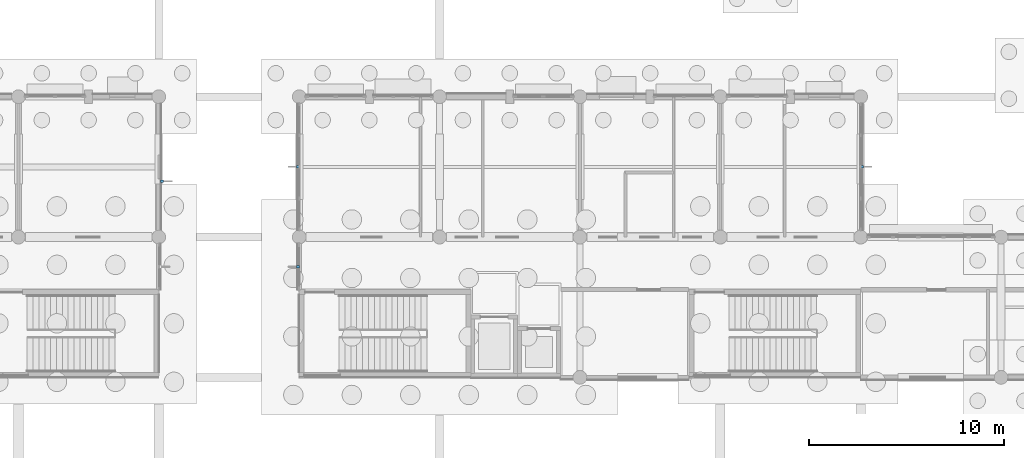
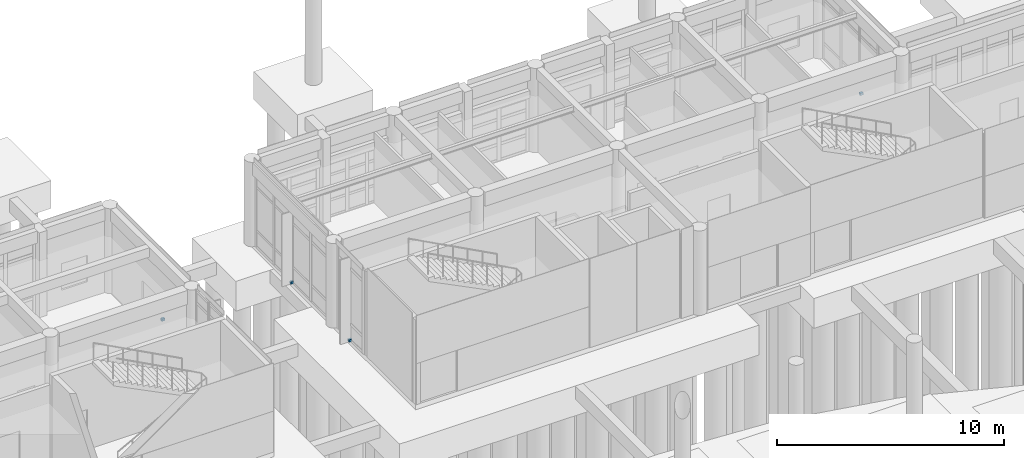
# One storey, part 72 of 103: 4 discrete accessories.
"""IFC4 building model written with IfcOpenShell, lengths in metres."""

from ifc_helpers import new_model, si_unit, direction, frame, origin, origin_2d, place, context, subcontext, project, spatial, rectangle, extrude, material, type_object, element, save


model = new_model("IFC4")

# Units and contexts
model_context = context("Model", 3, precision=1e-05, world=origin(), true_north=direction((0.0, 1.0)))
body_context = subcontext(model_context, "Body", "Model", "MODEL_VIEW")
ifc_project = project(units=[si_unit("LENGTHUNIT", "METRE"), si_unit("AREAUNIT", "SQUARE_METRE"), si_unit("VOLUMEUNIT", "CUBIC_METRE"), si_unit("PLANEANGLEUNIT", "RADIAN"), si_unit("MASSUNIT", "GRAM", prefix="KILO")], contexts=[model_context])

# Site, building, storey
site_placement = place(None, origin())
site = spatial("IfcSite", under=ifc_project, at=site_placement, CompositionType="ELEMENT")
building_placement = place(site_placement, origin())
building = spatial("IfcBuilding", under=site, at=building_placement, Name="Namkhue Oval Health Centre", CompositionType="ELEMENT")
storey_placement = place(building_placement, origin())
storey = spatial("IfcBuildingStorey", under=building, at=storey_placement, Name="L00", CompositionType="ELEMENT", Elevation=0.0)

# Discrete accessories
ifc_material = material(Name="Structural steel S355JR (TCVN CCT38)", Category="steel")
discrete_accessory_type = type_object("IfcDiscreteAccessoryType", Name="FACADE SHADING BRACKET", PredefinedType="BRACKET", material=ifc_material)
for number, where, z_axis, x_axis, name in (
    (1, (86.570068359375, 100.06005859375, 0.89990234375), (0.0, 0.0, 1.0), (1.0, 0.0, 0.0), "Window Fin Bracket 47"),
    (2, (122.4599609375, 100.800048828125, 0.0), (0.0, 0.0, 1.0), (1.0, 0.0, 0.0), "Solar Fin Bracket 120"),
    (3, (93.5400390625, 100.800048828125, 0.0), (0.0, 0.0, 1.0), (-1.0, 0.0, 0.0), "Solar Fin Bracket 128"),
    (4, (93.5400390625, 95.678466796875, 0.0), (0.0, 0.0, 1.0), (-1.0, 0.0, 0.0), "Solar Fin Bracket 129"),
):
    element("IfcDiscreteAccessory", number, at=place(storey_placement, frame(where, z_axis=z_axis, x_axis=x_axis)), inside=storey, type_object=discrete_accessory_type, Name=name, PredefinedType="BRACKET", context=body_context, shape_type="SweptSolid", body=[
        extrude(rectangle(XDim=0.159912109375, YDim=0.1201171875, at=origin_2d()), origin(), (0.0, 0.0, 1.0), 0.1201171875),
    ])

save(model, "model.ifc")
